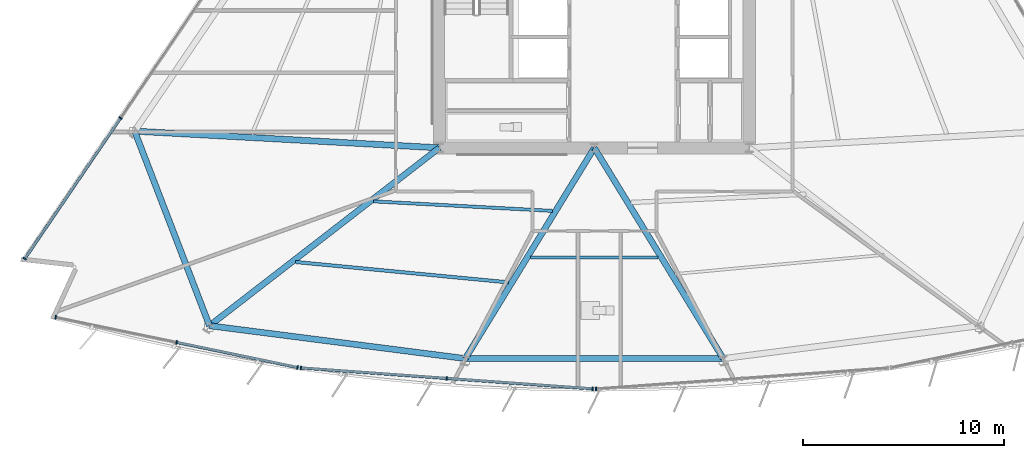
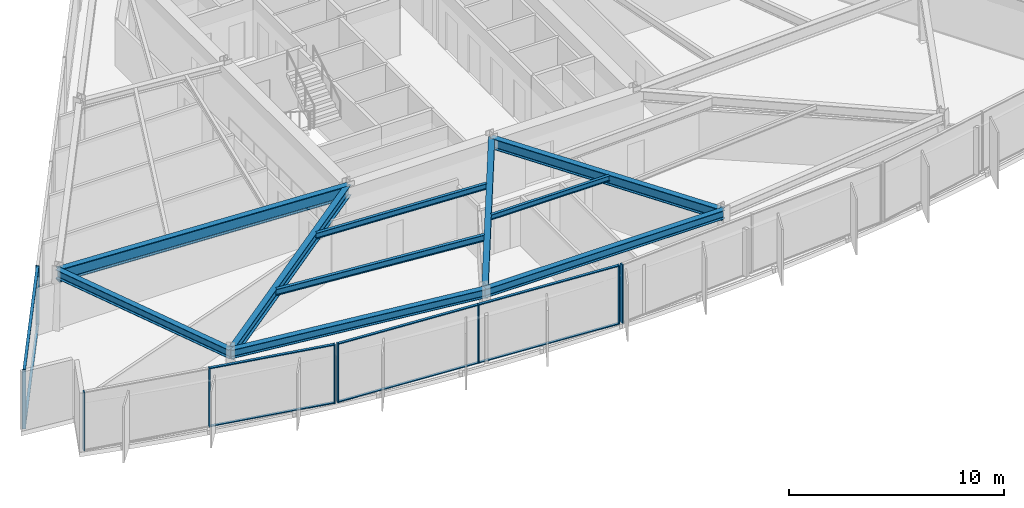
# One storey, part 2 of 15: 17 members, 10 beams, 4 elements without a shape of their own.
"""IFC4 building model written with IfcOpenShell, lengths in metres."""

from ifc_helpers import new_model, si_unit, direction, frame, origin, origin_2d, place, context, subcontext, project, spatial, rectangle, i_section, extrude, material, material_profile, profile_set, type_object, element, aggregate, save


model = new_model("IFC4")

# Units and contexts
model_context = context("Model", 3, precision=1e-05, world=origin(), true_north=direction((0.0, 1.0)))
body_context = subcontext(model_context, "Body", "Model", "MODEL_VIEW")
ifc_project = project(units=[si_unit("LENGTHUNIT", "METRE"), si_unit("AREAUNIT", "SQUARE_METRE"), si_unit("VOLUMEUNIT", "CUBIC_METRE"), si_unit("PLANEANGLEUNIT", "RADIAN"), si_unit("MASSUNIT", "GRAM", prefix="KILO")], contexts=[model_context])

# Site, building, storey
site_placement = place(None, origin())
site = spatial("IfcSite", under=ifc_project, at=site_placement, CompositionType="ELEMENT")
building_placement = place(site_placement, origin())
building = spatial("IfcBuilding", under=site, at=building_placement, Name="Savorim Split Tower", CompositionType="ELEMENT")
storey_placement = place(building_placement, frame((0.0, 0.0, 86.10009765625)))
storey = spatial("IfcBuildingStorey", under=building, at=storey_placement, Name="L22", CompositionType="ELEMENT", Elevation=86.10009765625)

# Beams
ifc_material_1 = material(Name="Steel S355", Category="steel")
ifc_material_profile_1 = material_profile(ifc_material_1, i_section(OverallWidth=0.14990234375, OverallDepth=0.300048828125, WebThickness=0.007080078125, FlangeThickness=0.0107421875, FilletRadius=0.014892578125, at=origin_2d()), Name="IPE 300")
ifc_profile_set_1 = profile_set([ifc_material_profile_1], Name="Steel S355")
beam_type_1 = type_object("IfcBeamType", Name="BM-JST-IPE300", PredefinedType="JOIST", material=ifc_profile_set_1)
beam_1_placement = place(storey_placement, frame((-3.172607421875, -14.84521484375, 3.199951171875), z_axis=(1.0, 0.0, 0.0), x_axis=(0.0, 1.0, 0.0)))
element("IfcBeam", 1, at=beam_1_placement, inside=storey, type_object=beam_type_1, Name="L22 Secondary Floor Joist JS-03", PredefinedType="JOIST", context=body_context, shape_type="SweptSolid", body=[
    extrude(i_section(OverallWidth=0.14990234375, OverallDepth=0.300048828125, WebThickness=0.007080078125, FlangeThickness=0.0107421875, FilletRadius=0.014892578125, at=origin_2d()), origin(), (0.0, 0.0, 1.0), 6.34521484375),
])
ifc_material_profile_2 = material_profile(ifc_material_1, i_section(OverallWidth=0.159912109375, OverallDepth=0.330078125, WebThickness=0.007568359375, FlangeThickness=0.011474609375, FilletRadius=0.01806640625, at=origin_2d()), Name="IPE 330")
ifc_profile_set_2 = profile_set([ifc_material_profile_2], Name="Steel S355")
beam_type_2 = type_object("IfcBeamType", Name="BM-JST-IPE330", PredefinedType="JOIST", material=ifc_profile_set_2)
beam_2_placement = place(storey_placement, frame((-10.966552734375, -12.060302734375, 3.184814453125), z_axis=(0.998587723626, -0.053127753798, 0.0), x_axis=(0.053127753798, 0.998587723626, 0.0)))
element("IfcBeam", 2, at=beam_2_placement, inside=storey, type_object=beam_type_2, Name="L22 Secondary Floor Joist JS-02", PredefinedType="JOIST", context=body_context, shape_type="SweptSolid", body=[
    extrude(i_section(OverallWidth=0.159912109375, OverallDepth=0.330078125, WebThickness=0.007568359375, FlangeThickness=0.011474609375, FilletRadius=0.01806640625, at=origin_2d()), origin(), (0.0, 0.0, 1.0), 8.896484375),
])
ifc_material_profile_3 = material_profile(ifc_material_1, i_section(OverallWidth=0.169921875, OverallDepth=0.360107421875, WebThickness=0.008056640625, FlangeThickness=0.0126953125, FilletRadius=0.01806640625, at=origin_2d()), Name="IPE 360")
ifc_profile_set_3 = profile_set([ifc_material_profile_3], Name="Steel S355")
beam_type_3 = type_object("IfcBeamType", Name="BM-JST-IPE360", PredefinedType="JOIST", material=ifc_profile_set_3)
beam_3_placement = place(storey_placement, frame((-14.850341796875, -15.072509765625, 3.169921875), z_axis=(0.995445412435, -0.095333262092, 0.0), x_axis=(0.095333262092, 0.995445412435, 0.0)))
element("IfcBeam", 3, at=beam_3_placement, inside=storey, type_object=beam_type_3, Name="L22 Secondary Floor Joist JS-01", PredefinedType="JOIST", context=body_context, shape_type="SweptSolid", body=[
    extrude(i_section(OverallWidth=0.169921875, OverallDepth=0.360107421875, WebThickness=0.008056640625, FlangeThickness=0.0126953125, FilletRadius=0.01806640625, at=origin_2d()), origin(), (0.0, 0.0, 1.0), 10.637939453125),
])
ifc_material_profile_4 = material_profile(ifc_material_1, i_section(OverallWidth=0.300048828125, OverallDepth=0.60009765625, WebThickness=0.015380859375, FlangeThickness=0.030029296875, FilletRadius=0.027099609375, at=origin_2d()), Name="HEB 600")
ifc_profile_set_4 = profile_set([ifc_material_profile_4], Name="Steel S355")
beam_type_4 = type_object("IfcBeamType", Name="BM-PRI-HEB600", PredefinedType="BEAM", material=ifc_profile_set_4)
beam_4_placement = place(storey_placement, frame((-19.121337890625, -18.239501953125, 3.0498046875), z_axis=(0.790816347688, 0.612053514188, 0.0), x_axis=(-0.612053514188, 0.790816347688, 0.0)))
element("IfcBeam", 4, at=beam_4_placement, inside=storey, type_object=beam_type_4, Name="L22 Primary Floor Girder RG-01", PredefinedType="BEAM", context=body_context, shape_type="SweptSolid", body=[
    extrude(i_section(OverallWidth=0.300048828125, OverallDepth=0.60009765625, WebThickness=0.015380859375, FlangeThickness=0.030029296875, FilletRadius=0.027099609375, at=origin_2d()), origin(), (0.0, 0.0, 1.0), 14.442626953125),
])
for number, where, z_axis, x_axis, name in (
    (5, (-6.40869140625, -19.871826171875, 3.0498046875), (0.521994453243, 0.85294887935, 0.0), (-0.85294887935, 0.521994453243, 0.0), "L22 Primary Floor Girder RG-02"),
    (6, (6.40869140625, -19.871826171875, 3.0498046875), (-0.521994453243, 0.85294887935, 0.0), (-0.85294887935, -0.521994453243, 0.0), "L22 Primary Floor Girder RG-03"),
):
    element("IfcBeam", number, at=place(storey_placement, frame(where, z_axis=z_axis, x_axis=x_axis)), inside=storey, type_object=beam_type_4, Name=name, PredefinedType="BEAM", context=body_context, shape_type="SweptSolid", body=[
        extrude(i_section(OverallWidth=0.300048828125, OverallDepth=0.60009765625, WebThickness=0.015380859375, FlangeThickness=0.030029296875, FilletRadius=0.027099609375, at=origin_2d()), origin(), (0.0, 0.0, 1.0), 12.27734375),
    ])
ifc_material_2 = material(Name="Steel S460", Category="steel")
ifc_material_profile_5 = material_profile(ifc_material_2, i_section(OverallWidth=0.303955078125, OverallDepth=0.716064453125, WebThickness=0.02099609375, FlangeThickness=0.0400390625, FilletRadius=0.027099609375, at=origin_2d()), Name="HE 700 M")
ifc_profile_set_5 = profile_set([ifc_material_profile_5], Name="Steel S460")
beam_type_5 = type_object("IfcBeamType", Name="BM-PRI-HEM700", PredefinedType="BEAM", material=ifc_profile_set_5)
beam_5_placement = place(storey_placement, frame((-22.839111328125, -8.570556640625, 2.991943359375), z_axis=(0.998502863201, -0.054699471477, 0.0), x_axis=(0.054699471477, 0.998502863201, 0.0)))
element("IfcBeam", 7, at=beam_5_placement, inside=storey, type_object=beam_type_5, Name="L22 Primary Floor Girder RG-10", PredefinedType="BEAM", context=body_context, shape_type="SweptSolid", body=[
    extrude(i_section(OverallWidth=0.303955078125, OverallDepth=0.716064453125, WebThickness=0.02099609375, FlangeThickness=0.0400390625, FilletRadius=0.027099609375, at=origin_2d()), origin(), (0.0, 0.0, 1.0), 15.161865234375),
])
ifc_material_profile_6 = material_profile(ifc_material_1, i_section(OverallWidth=0.300048828125, OverallDepth=0.489990234375, WebThickness=0.011962890625, FlangeThickness=0.02294921875, FilletRadius=0.027099609375, at=origin_2d()), Name="HEA 500")
ifc_profile_set_6 = profile_set([ifc_material_profile_6], Name="Steel S355")
beam_type_6 = type_object("IfcBeamType", Name="BM-SPN-HEA500", PredefinedType="SPANDREL", material=ifc_profile_set_6)
beam_6_placement = place(storey_placement, frame((-19.121337890625, -18.239501953125, 3.10498046875), z_axis=(0.99185706589, -0.127356039687, 0.0), x_axis=(0.127356039687, 0.99185706589, 0.0)))
element("IfcBeam", 8, at=beam_6_placement, inside=storey, type_object=beam_type_6, Name="L22 Perimeter Spandrel Beam 1", PredefinedType="SPANDREL", context=body_context, shape_type="SweptSolid", body=[
    extrude(i_section(OverallWidth=0.300048828125, OverallDepth=0.489990234375, WebThickness=0.011962890625, FlangeThickness=0.02294921875, FilletRadius=0.027099609375, at=origin_2d()), origin(), (0.0, 0.0, 1.0), 12.81689453125),
])
beam_7_placement = place(storey_placement, frame((-6.40869140625, -19.871826171875, 3.10498046875), z_axis=(1.0, 0.0, 0.0), x_axis=(0.0, 1.0, 0.0)))
element("IfcBeam", 9, at=beam_7_placement, inside=storey, type_object=beam_type_6, Name="L22 Perimeter Spandrel Beam 2", PredefinedType="SPANDREL", context=body_context, shape_type="SweptSolid", body=[
    extrude(i_section(OverallWidth=0.300048828125, OverallDepth=0.489990234375, WebThickness=0.011962890625, FlangeThickness=0.02294921875, FilletRadius=0.027099609375, at=origin_2d()), origin(), (0.0, 0.0, 1.0), 12.8173828125),
])
beam_8_placement = place(storey_placement, frame((-22.839111328125, -8.570556640625, 3.10498046875), z_axis=(0.358890637661, -0.933379617411, 0.0), x_axis=(0.933379617411, 0.358890637661, 0.0)))
element("IfcBeam", 10, at=beam_8_placement, inside=storey, type_object=beam_type_6, Name="L22 Perimeter Spandrel Beam 10", PredefinedType="SPANDREL", context=body_context, shape_type="SweptSolid", body=[
    extrude(i_section(OverallWidth=0.300048828125, OverallDepth=0.489990234375, WebThickness=0.011962890625, FlangeThickness=0.02294921875, FilletRadius=0.027099609375, at=origin_2d()), origin(), (0.0, 0.0, 1.0), 10.359130859375),
])

# Curtain wall, members
ifc_material_3 = material(Name="Dark Ceramic-Fritted Insulated Glass", Category="glass")
curtain_wall_type = type_object("IfcCurtainWallType", Name="CW-TWR-FRIT-A", PredefinedType="NOTDEFINED", material=ifc_material_3)
curtain_wall_1_placement = place(storey_placement, origin())
curtain_wall_1 = element("IfcCurtainWall", 11, at=curtain_wall_1_placement, inside=storey, type_object=curtain_wall_type, Name="L22 Curtain Wall CW-L22-SF1", PredefinedType="NOTDEFINED")
ifc_material_4 = material(Name="Charcoal Anodised Aluminium", Category="aluminium")
ifc_material_profile_7 = material_profile(ifc_material_4, rectangle(XDim=0.179931640625, YDim=0.06494140625, at=origin_2d()), Name="ALU-M 180x65")
ifc_profile_set_7 = profile_set([ifc_material_profile_7], Name="Charcoal Anodised Aluminium")
member_type_1 = type_object("IfcMemberType", Name="CWM-180x65", PredefinedType="MULLION", material=ifc_profile_set_7)
member_1_placement = place(storey_placement, frame((-26.76513671875, -17.81689453125, 0.0), z_axis=(0.0, 0.0, 1.0), x_axis=(0.203210153081, 0.979135145772, 0.0)))
member_1 = element("IfcMember", 12, at=member_1_placement, type_object=member_type_1, Name="CW-02 mullion 1", PredefinedType="MULLION", context=body_context, shape_type="SweptSolid", body=[
    extrude(rectangle(XDim=0.179931640625, YDim=0.06494140625, at=origin_2d()), origin(), (0.0, 0.0, 1.0), 3.349853515625),
])
member_2_placement = place(storey_placement, frame((-20.75634765625, -19.064208984375, 0.0), z_axis=(0.0, 0.0, 1.0), x_axis=(0.203210153081, 0.979135145772, 0.0)))
member_2 = element("IfcMember", 13, at=member_2_placement, type_object=member_type_1, Name="CW-02 mullion 2", PredefinedType="MULLION", context=body_context, shape_type="SweptSolid", body=[
    extrude(rectangle(XDim=0.179931640625, YDim=0.06494140625, at=origin_2d()), origin(), (0.0, 0.0, 1.0), 3.349853515625),
])
member_3_placement = place(storey_placement, frame((-14.747314453125, -20.311279296875, 0.0), z_axis=(0.0, 0.0, 1.0), x_axis=(0.203210153081, 0.979135145772, 0.0)))
member_3 = element("IfcMember", 14, at=member_3_placement, type_object=member_type_1, Name="CW-02 mullion 3", PredefinedType="MULLION", context=body_context, shape_type="SweptSolid", body=[
    extrude(rectangle(XDim=0.179931640625, YDim=0.06494140625, at=origin_2d()), origin(), (0.0, 0.0, 1.0), 3.349853515625),
])

curtain_wall_2_placement = place(storey_placement, origin())
curtain_wall_2 = element("IfcCurtainWall", 15, at=curtain_wall_2_placement, inside=storey, type_object=curtain_wall_type, Name="L22 Curtain Wall CW-L22-SF2", PredefinedType="NOTDEFINED")
member_4_placement = place(storey_placement, frame((-14.580322265625, -20.33447265625, 0.0), z_axis=(0.0, 0.0, 1.0), x_axis=(0.071560540796, 0.997436258114, 0.0)))
member_4 = element("IfcMember", 16, at=member_4_placement, type_object=member_type_1, Name="CW-02 mullion 1", PredefinedType="MULLION", context=body_context, shape_type="SweptSolid", body=[
    extrude(rectangle(XDim=0.179931640625, YDim=0.06494140625, at=origin_2d()), origin(), (0.0, 0.0, 1.0), 3.349853515625),
])
member_5_placement = place(storey_placement, frame((-7.33203125, -20.8544921875, 0.0), z_axis=(0.0, 0.0, 1.0), x_axis=(0.071560540796, 0.997436258114, 0.0)))
member_5 = element("IfcMember", 17, at=member_5_placement, type_object=member_type_1, Name="CW-02 mullion 2", PredefinedType="MULLION", context=body_context, shape_type="SweptSolid", body=[
    extrude(rectangle(XDim=0.179931640625, YDim=0.06494140625, at=origin_2d()), origin(), (0.0, 0.0, 1.0), 3.349853515625),
])
member_6_placement = place(storey_placement, frame((-0.083740234375, -21.37451171875, 0.0), z_axis=(0.0, 0.0, 1.0), x_axis=(0.071560540796, 0.997436258114, 0.0)))
member_6 = element("IfcMember", 18, at=member_6_placement, type_object=member_type_1, Name="CW-02 mullion 3", PredefinedType="MULLION", context=body_context, shape_type="SweptSolid", body=[
    extrude(rectangle(XDim=0.179931640625, YDim=0.06494140625, at=origin_2d()), origin(), (0.0, 0.0, 1.0), 3.349853515625),
])

# Curtain wall, member
curtain_wall_3_placement = place(storey_placement, origin())
curtain_wall_3 = element("IfcCurtainWall", 19, at=curtain_wall_3_placement, inside=storey, type_object=curtain_wall_type, Name="L22 Curtain Wall CW-L22-SF3", PredefinedType="NOTDEFINED")
member_7_placement = place(storey_placement, frame((0.083740234375, -21.37451171875, 0.0), z_axis=(0.0, 0.0, 1.0), x_axis=(-0.071560540796, 0.997436258114, 0.0)))
member_7 = element("IfcMember", 20, at=member_7_placement, type_object=member_type_1, Name="CW-02 mullion 1", PredefinedType="MULLION", context=body_context, shape_type="SweptSolid", body=[
    extrude(rectangle(XDim=0.179931640625, YDim=0.06494140625, at=origin_2d()), origin(), (0.0, 0.0, 1.0), 3.349853515625),
])
aggregate(curtain_wall_3, [member_7])

# Curtain wall, members
curtain_wall_4_placement = place(storey_placement, origin())
curtain_wall_4 = element("IfcCurtainWall", 21, at=curtain_wall_4_placement, inside=storey, type_object=curtain_wall_type, Name="L22 Curtain Wall CW-L22-WEST", PredefinedType="NOTDEFINED")
member_8_placement = place(storey_placement, frame((-23.539306640625, -7.917236328125, 0.0), z_axis=(0.0, 0.0, 1.0), x_axis=(0.826819383915, -0.562467515846, 0.0)))
member_8 = element("IfcMember", 22, at=member_8_placement, type_object=member_type_1, Name="CW-02 mullion 4", PredefinedType="MULLION", context=body_context, shape_type="SweptSolid", body=[
    extrude(rectangle(XDim=0.179931640625, YDim=0.06494140625, at=origin_2d()), origin(), (0.0, 0.0, 1.0), 3.349853515625),
])
member_9_placement = place(storey_placement, frame((-28.294921875, -14.908203125, 0.0), z_axis=(0.0, 0.0, 1.0), x_axis=(0.826819383915, -0.562467515846, 0.0)))
member_9 = element("IfcMember", 23, at=member_9_placement, type_object=member_type_1, Name="CW-02 mullion 5", PredefinedType="MULLION", context=body_context, shape_type="SweptSolid", body=[
    extrude(rectangle(XDim=0.179931640625, YDim=0.06494140625, at=origin_2d()), origin(), (0.0, 0.0, 1.0), 3.349853515625),
])

# Member
ifc_material_profile_8 = material_profile(ifc_material_4, rectangle(XDim=0.139892578125, YDim=0.054931640625, at=origin_2d()), Name="ALU-T 140x55")
ifc_profile_set_8 = profile_set([ifc_material_profile_8], Name="Charcoal Anodised Aluminium")
member_type_2 = type_object("IfcMemberType", Name="CWT-140x55", PredefinedType="USERDEFINED", material=ifc_profile_set_8)
member_10_placement = place(storey_placement, frame((-20.724365234375, -19.07080078125, 0.02734375), z_axis=(0.97913534694, -0.203209183781, 0.0), x_axis=(0.203209183781, 0.97913534694, 0.0)))
member_10 = element("IfcMember", 24, at=member_10_placement, type_object=member_type_2, Name="CW-02 transom 2.1", ObjectType="TRANSOM", PredefinedType="USERDEFINED", context=body_context, shape_type="SweptSolid", body=[
    extrude(rectangle(XDim=0.139892578125, YDim=0.054931640625, at=origin_2d()), origin(), (0.0, 0.0, 1.0), 6.072021484375),
])

member_11_placement = place(storey_placement, frame((-20.724365234375, -19.07080078125, 3.322509765625), z_axis=(0.97913534694, -0.203209183781, 0.0), x_axis=(0.203209183781, 0.97913534694, 0.0)))
member_11 = element("IfcMember", 25, at=member_11_placement, type_object=member_type_2, Name="CW-02 transom 2.2", ObjectType="TRANSOM", PredefinedType="USERDEFINED", context=body_context, shape_type="SweptSolid", body=[
    extrude(rectangle(XDim=0.139892578125, YDim=0.054931640625, at=origin_2d()), origin(), (0.0, 0.0, 1.0), 6.072021484375),
])

aggregate(curtain_wall_1, [member_1, member_2, member_3, member_10, member_11])

member_12_placement = place(storey_placement, frame((-14.5478515625, -20.336669921875, 0.02734375), z_axis=(0.997436107345, -0.071562642239, 0.0), x_axis=(0.071562642239, 0.997436107345, 0.0)))
member_12 = element("IfcMember", 26, at=member_12_placement, type_object=member_type_2, Name="CW-02 transom 1.1", ObjectType="TRANSOM", PredefinedType="USERDEFINED", context=body_context, shape_type="SweptSolid", body=[
    extrude(rectangle(XDim=0.139892578125, YDim=0.054931640625, at=origin_2d()), origin(), (0.0, 0.0, 1.0), 7.201904296875),
])

member_13_placement = place(storey_placement, frame((-14.5478515625, -20.336669921875, 3.322509765625), z_axis=(0.997436107345, -0.071562642239, 0.0), x_axis=(0.071562642239, 0.997436107345, 0.0)))
member_13 = element("IfcMember", 27, at=member_13_placement, type_object=member_type_2, Name="CW-02 transom 1.2", ObjectType="TRANSOM", PredefinedType="USERDEFINED", context=body_context, shape_type="SweptSolid", body=[
    extrude(rectangle(XDim=0.139892578125, YDim=0.054931640625, at=origin_2d()), origin(), (0.0, 0.0, 1.0), 7.201904296875),
])

member_14_placement = place(storey_placement, frame((-7.299560546875, -20.856689453125, 0.02734375), z_axis=(0.997436107345, -0.071562642239, 0.0), x_axis=(0.071562642239, 0.997436107345, 0.0)))
member_14 = element("IfcMember", 28, at=member_14_placement, type_object=member_type_2, Name="CW-02 transom 2.1", ObjectType="TRANSOM", PredefinedType="USERDEFINED", context=body_context, shape_type="SweptSolid", body=[
    extrude(rectangle(XDim=0.139892578125, YDim=0.054931640625, at=origin_2d()), origin(), (0.0, 0.0, 1.0), 7.201904296875),
])

member_15_placement = place(storey_placement, frame((-7.299560546875, -20.856689453125, 3.322509765625), z_axis=(0.997436107345, -0.071562642239, 0.0), x_axis=(0.071562642239, 0.997436107345, 0.0)))
member_15 = element("IfcMember", 29, at=member_15_placement, type_object=member_type_2, Name="CW-02 transom 2.2", ObjectType="TRANSOM", PredefinedType="USERDEFINED", context=body_context, shape_type="SweptSolid", body=[
    extrude(rectangle(XDim=0.139892578125, YDim=0.054931640625, at=origin_2d()), origin(), (0.0, 0.0, 1.0), 7.201904296875),
])

aggregate(curtain_wall_2, [member_4, member_5, member_6, member_12, member_13, member_14, member_15])

member_16_placement = place(storey_placement, frame((-23.5576171875, -7.9443359375, 0.02734375), z_axis=(-0.562478744219, -0.826811745382, 0.0), x_axis=(0.826811745382, -0.562478744219, 0.0)))
member_16 = element("IfcMember", 30, at=member_16_placement, type_object=member_type_2, Name="CW-02 transom 4.1", ObjectType="TRANSOM", PredefinedType="USERDEFINED", context=body_context, shape_type="SweptSolid", body=[
    extrude(rectangle(XDim=0.139892578125, YDim=0.054931640625, at=origin_2d()), origin(), (0.0, 0.0, 1.0), 8.39013671875),
])

member_17_placement = place(storey_placement, frame((-23.5576171875, -7.9443359375, 3.322509765625), z_axis=(-0.562478744219, -0.826811745382, 0.0), x_axis=(0.826811745382, -0.562478744219, 0.0)))
member_17 = element("IfcMember", 31, at=member_17_placement, type_object=member_type_2, Name="CW-02 transom 4.2", ObjectType="TRANSOM", PredefinedType="USERDEFINED", context=body_context, shape_type="SweptSolid", body=[
    extrude(rectangle(XDim=0.139892578125, YDim=0.054931640625, at=origin_2d()), origin(), (0.0, 0.0, 1.0), 8.39013671875),
])

aggregate(curtain_wall_4, [member_8, member_9, member_16, member_17])

save(model, "model.ifc")
